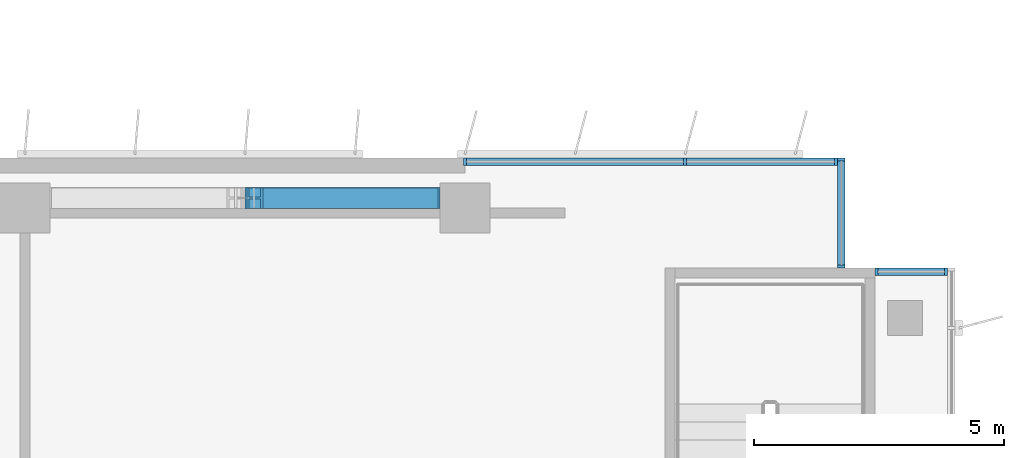
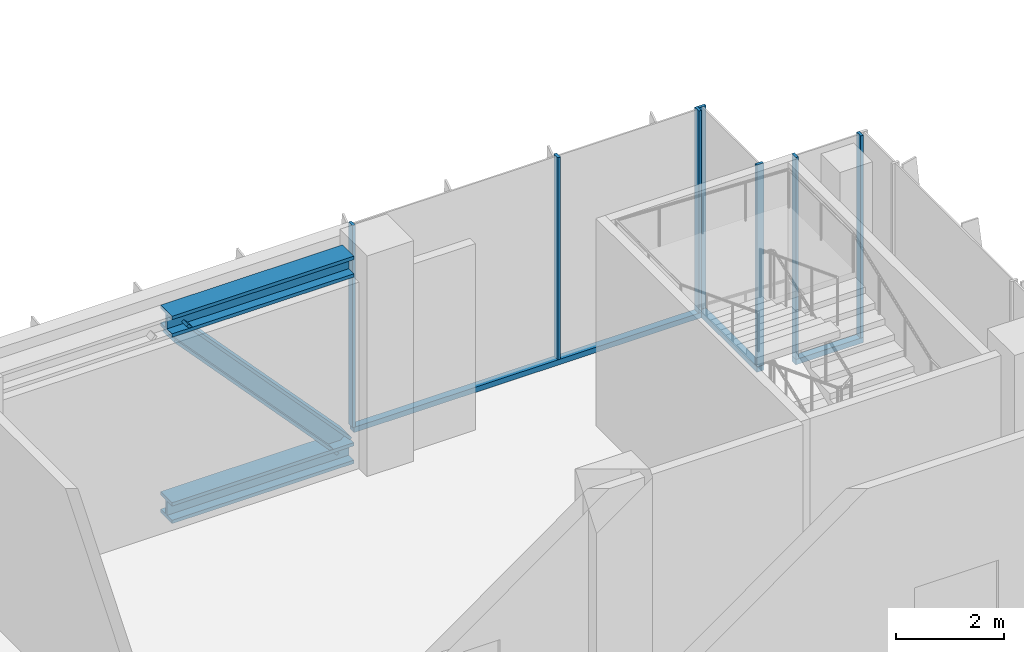
# One storey, part 4 of 17: 11 members, 2 beams, 3 elements without a shape of their own.
"""IFC4 building model written with IfcOpenShell, lengths in metres."""

from ifc_helpers import new_model, si_unit, direction, frame, origin, origin_2d, place, context, subcontext, project, spatial, rectangle, i_section, extrude, source, transform, mapped, material, material_profile, profile_set, type_object, element, aggregate, save


model = new_model("IFC4")

# Units and contexts
model_context = context("Model", 3, precision=1e-05, world=origin(), true_north=direction((0.0, 1.0)))
body_context = subcontext(model_context, "Body", "Model", "MODEL_VIEW")
ifc_project = project(units=[si_unit("LENGTHUNIT", "METRE"), si_unit("AREAUNIT", "SQUARE_METRE"), si_unit("VOLUMEUNIT", "CUBIC_METRE"), si_unit("PLANEANGLEUNIT", "RADIAN"), si_unit("MASSUNIT", "GRAM", prefix="KILO")], contexts=[model_context])

# Site, building, storey
site_placement = place(None, origin())
site = spatial("IfcSite", under=ifc_project, at=site_placement, CompositionType="ELEMENT")
building_placement = place(site_placement, origin())
building = spatial("IfcBuilding", under=site, at=building_placement, Name="Kemantara Hotel Tower", CompositionType="ELEMENT")
storey_placement = place(building_placement, frame((0.0, 0.0, 193.800048828125)))
storey = spatial("IfcBuildingStorey", under=building, at=storey_placement, Name="L48", CompositionType="ELEMENT", Elevation=193.800048828125)

# Beams
ifc_material_1 = material(Name="Steel ASTM A992 Grade 50", Category="steel")
ifc_material_profile_1 = material_profile(ifc_material_1, i_section(OverallWidth=0.424072265625, OverallDepth=0.47509765625, WebThickness=0.0478515625, FlangeThickness=0.0771484375, at=origin_2d()), Name="W360X634")
ifc_profile_set_1 = profile_set([ifc_material_profile_1], Name="Steel ASTM A992 Grade 50")
beam_type = type_object("IfcBeamType", Name="BELT L48 TRUSS CHORD W360X634", PredefinedType="BEAM", material=ifc_profile_set_1)
for number, where, z_axis, x_axis, name in (
    (1, (49.39990234375, 21.199951171875, 0.237548828125), (1.0, 0.0, 0.0), (0.0, 1.0, 0.0), "BELT L48 BAY 15 bottom chord 2"),
    (2, (49.39990234375, 21.199951171875, 4.46240234375), (1.0, 0.0, 0.0), (0.0, 1.0, 0.0), "BELT L48 BAY 15 top chord 2"),
):
    element("IfcBeam", number, at=place(storey_placement, frame(where, z_axis=z_axis, x_axis=x_axis)), inside=storey, type_object=beam_type, Name=name, PredefinedType="BEAM", context=body_context, shape_type="SweptSolid", body=[
        extrude(i_section(OverallWidth=0.424072265625, OverallDepth=0.47509765625, WebThickness=0.0478515625, FlangeThickness=0.0771484375, at=origin_2d()), origin(), (0.0, 0.0, 1.0), 3.900146484375),
    ])

# Member
ifc_material_profile_2 = material_profile(ifc_material_1, i_section(OverallWidth=0.410888671875, OverallDepth=0.43408203125, WebThickness=0.035888671875, FlangeThickness=0.057373046875, at=origin_2d()), Name="W360X463")
ifc_profile_set_2 = profile_set([ifc_material_profile_2], Name="Steel ASTM A992 Grade 50")
member_type_1 = type_object("IfcMemberType", Name="BELT L48 TRUSS DIAGONAL W360X463", PredefinedType="BRACE", material=ifc_profile_set_2)
member_1_placement = place(storey_placement, frame((53.101806640625, 21.199951171875, 0.4521484375), z_axis=(-0.678278139711, 0.0, 0.734805256643), x_axis=(0.0, -1.0, 0.0)))
element("IfcMember", 3, at=member_1_placement, inside=storey, type_object=member_type_1, Name="BELT L48 BAY 15 diagonal 2", PredefinedType="BRACE", context=body_context, shape_type="SweptSolid", body=[
    extrude(i_section(OverallWidth=0.410888671875, OverallDepth=0.43408203125, WebThickness=0.035888671875, FlangeThickness=0.057373046875, at=origin_2d()), origin(), (0.0, 0.0, 1.0), 5.16552734375),
])

# Curtain wall, member
ifc_material_2 = material(Name="Low-E tinted double insulated glass 36 mm", Category="glass")
curtain_wall_type = type_object("IfcCurtainWallType", Name="TOWER CURTAIN WALL, FRONT FACES", PredefinedType="USERDEFINED", material=ifc_material_2)
curtain_wall_1_placement = place(storey_placement, origin())
curtain_wall_1 = element("IfcCurtainWall", 4, at=curtain_wall_1_placement, inside=storey, type_object=curtain_wall_type, Name="CW4 L48 T3-R14-1", ObjectType="TOWER CURTAIN WALL, FRONT FACES", PredefinedType="USERDEFINED")
ifc_material_3 = material(Name="Aluminium 6063-T6 bronze anodised", Category="aluminium")
ifc_material_profile_3 = material_profile(ifc_material_3, rectangle(XDim=0.14990234375, YDim=0.1201171875, at=origin_2d()), Name="TOWER CURTAIN WALL, FRONT FACES TRANSOM")
ifc_profile_set_3 = profile_set([ifc_material_profile_3], Name="Aluminium 6063-T6 bronze anodised")
member_type_2 = type_object("IfcMemberType", Name="TOWER CURTAIN WALL, FRONT FACES TRANSOM", PredefinedType="USERDEFINED", material=ifc_profile_set_3)
member_2_placement = place(storey_placement, frame((61.25, 21.925048828125, 0.06005859375), z_axis=(-1.0, 0.0, 0.0), x_axis=(0.0, -1.0, 0.0)))
member_2 = element("IfcMember", 5, at=member_2_placement, type_object=member_type_2, Name="CW4 sill transom T3-R14-1", ObjectType="TRANSOM", PredefinedType="USERDEFINED", context=body_context, shape_type="SweptSolid", body=[
    extrude(rectangle(XDim=0.14990234375, YDim=0.1201171875, at=origin_2d()), origin(), (0.0, 0.0, 1.0), 7.449951171875),
])

curtain_wall_2_placement = place(storey_placement, origin())
curtain_wall_2 = element("IfcCurtainWall", 6, at=curtain_wall_2_placement, inside=storey, type_object=curtain_wall_type, Name="CW4 L48 T3-R12-1", ObjectType="TOWER CURTAIN WALL, FRONT FACES", PredefinedType="USERDEFINED")
member_3_placement = place(storey_placement, frame((63.449951171875, 19.72509765625, 0.06005859375), z_axis=(-1.0, 0.0, 0.0), x_axis=(0.0, -1.0, 0.0)))
member_3 = element("IfcMember", 7, at=member_3_placement, type_object=member_type_2, Name="CW4 sill transom T3-R12-1", ObjectType="TRANSOM", PredefinedType="USERDEFINED", context=body_context, shape_type="SweptSolid", body=[
    extrude(rectangle(XDim=0.14990234375, YDim=0.1201171875, at=origin_2d()), origin(), (0.0, 0.0, 1.0), 1.449951171875),
])

curtain_wall_3_placement = place(storey_placement, origin())
curtain_wall_3 = element("IfcCurtainWall", 8, at=curtain_wall_3_placement, inside=storey, type_object=curtain_wall_type, Name="CW4 L48 T3-R13-1", ObjectType="TOWER CURTAIN WALL, FRONT FACES", PredefinedType="USERDEFINED")
member_4_placement = place(storey_placement, frame((61.324951171875, 19.800048828125, 0.06005859375), z_axis=(0.0, 1.0, 0.0), x_axis=(-1.0, 0.0, 0.0)))
member_4 = element("IfcMember", 9, at=member_4_placement, type_object=member_type_2, Name="CW4 sill transom T3-R13-1", ObjectType="TRANSOM", PredefinedType="USERDEFINED", context=body_context, shape_type="SweptSolid", body=[
    extrude(rectangle(XDim=0.14990234375, YDim=0.1201171875, at=origin_2d()), origin(), (0.0, 0.0, 1.0), 2.199951171875),
])

# Member
ifc_material_profile_4 = material_profile(ifc_material_3, rectangle(XDim=0.14990234375, YDim=0.06005859375, at=origin_2d()), Name="TOWER CURTAIN WALL, FRONT FACES MULLION")
ifc_profile_set_4 = profile_set([ifc_material_profile_4], Name="Aluminium 6063-T6 bronze anodised")
member_type_3 = type_object("IfcMemberType", Name="TOWER CURTAIN WALL, FRONT FACES MULLION", PredefinedType="MULLION", material=ifc_profile_set_4)
shared_shape = source(origin(), body_context, "Body", "SweptSolid", [
    extrude(rectangle(XDim=0.14990234375, YDim=0.06005859375, at=origin_2d()), origin(), (0.0, 0.0, 1.0), 4.580078125),
])
member_5_placement = place(storey_placement, frame((61.219970703125, 21.925048828125, 0.119873046875), z_axis=(0.0, 0.0, 1.0), x_axis=(0.0, -1.0, 0.0)))
member_5 = element("IfcMember", 10, at=member_5_placement, type_object=member_type_3, Name="CW4 mullion T3-R14-1.1", PredefinedType="MULLION", context=body_context, shape_type="MappedRepresentation", body=[
    mapped(shared_shape, transform((0.0, 0.0, 0.0))),
])

member_6_placement = place(storey_placement, frame((58.199951171875, 21.925048828125, 0.119873046875), z_axis=(0.0, 0.0, 1.0), x_axis=(0.0, -1.0, 0.0)))
member_6 = element("IfcMember", 11, at=member_6_placement, type_object=member_type_3, Name="CW4 mullion T3-R14-1.2", PredefinedType="MULLION", context=body_context, shape_type="MappedRepresentation", body=[
    mapped(shared_shape, transform((0.0, 0.0, 0.0))),
])

member_7_placement = place(storey_placement, frame((53.800048828125, 21.925048828125, 0.119873046875), z_axis=(0.0, 0.0, 1.0), x_axis=(0.0, -1.0, 0.0)))
member_7 = element("IfcMember", 12, at=member_7_placement, type_object=member_type_3, Name="CW4 mullion T3-R14-1.3", PredefinedType="MULLION", context=body_context, shape_type="MappedRepresentation", body=[
    mapped(shared_shape, transform((0.0, 0.0, 0.0))),
])

aggregate(curtain_wall_1, [member_2, member_5, member_6, member_7])

member_8_placement = place(storey_placement, frame((63.419921875, 19.72509765625, 0.119873046875), z_axis=(0.0, 0.0, 1.0), x_axis=(0.0, -1.0, 0.0)))
member_8 = element("IfcMember", 13, at=member_8_placement, type_object=member_type_3, Name="CW4 mullion T3-R12-1.1", PredefinedType="MULLION", context=body_context, shape_type="MappedRepresentation", body=[
    mapped(shared_shape, transform((0.0, 0.0, 0.0))),
])

member_9_placement = place(storey_placement, frame((62.030029296875, 19.72509765625, 0.119873046875), z_axis=(0.0, 0.0, 1.0), x_axis=(0.0, -1.0, 0.0)))
member_9 = element("IfcMember", 14, at=member_9_placement, type_object=member_type_3, Name="CW4 mullion T3-R12-1.2", PredefinedType="MULLION", context=body_context, shape_type="MappedRepresentation", body=[
    mapped(shared_shape, transform((0.0, 0.0, 0.0))),
])

aggregate(curtain_wall_2, [member_3, member_8, member_9])

member_10_placement = place(storey_placement, frame((61.324951171875, 19.830078125, 0.119873046875), z_axis=(0.0, 0.0, 1.0), x_axis=(-1.0, 0.0, 0.0)))
member_10 = element("IfcMember", 15, at=member_10_placement, type_object=member_type_3, Name="CW4 mullion T3-R13-1.1", PredefinedType="MULLION", context=body_context, shape_type="MappedRepresentation", body=[
    mapped(shared_shape, transform((0.0, 0.0, 0.0))),
])

member_11_placement = place(storey_placement, frame((61.324951171875, 21.969970703125, 0.119873046875), z_axis=(0.0, 0.0, 1.0), x_axis=(-1.0, 0.0, 0.0)))
member_11 = element("IfcMember", 16, at=member_11_placement, type_object=member_type_3, Name="CW4 mullion T3-R13-1.2", PredefinedType="MULLION", context=body_context, shape_type="MappedRepresentation", body=[
    mapped(shared_shape, transform((0.0, 0.0, 0.0))),
])

aggregate(curtain_wall_3, [member_4, member_10, member_11])

save(model, "model.ifc")
